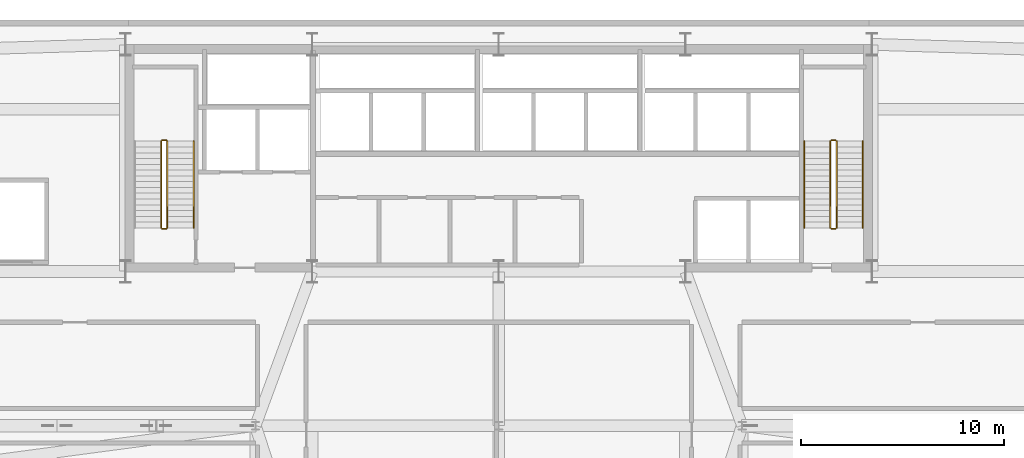
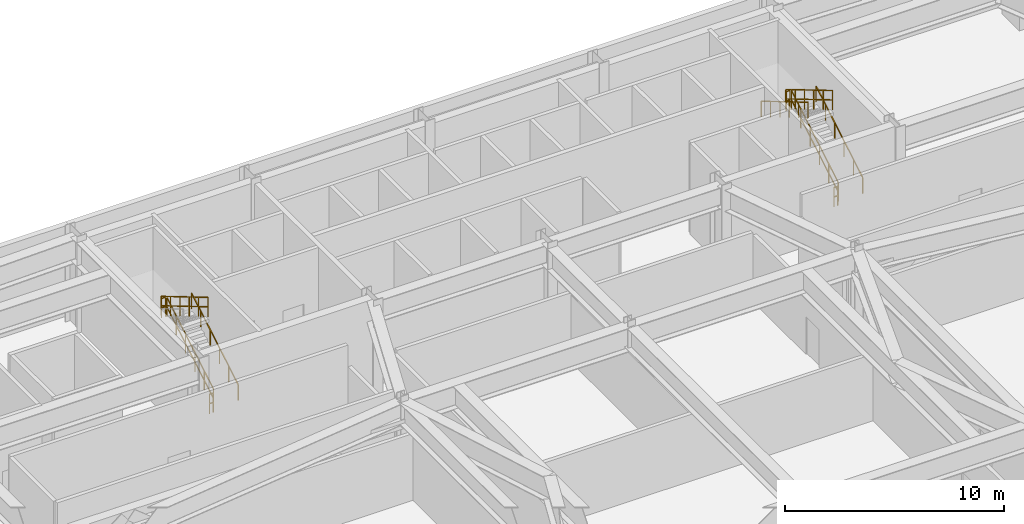
# One storey, part 16 of 16: 11 railings.
"""IFC4 building model written with IfcOpenShell, lengths in metres."""

from ifc_helpers import new_model, si_unit, direction, frame, origin, origin_2d, place, context, subcontext, project, spatial, rectangle, extrude, material, type_object, element, save


model = new_model("IFC4")

# Units and contexts
model_context = context("Model", 3, precision=1e-05, world=origin(), true_north=direction((0.0, 1.0)))
body_context = subcontext(model_context, "Body", "Model", "MODEL_VIEW")
ifc_project = project(units=[si_unit("LENGTHUNIT", "METRE"), si_unit("AREAUNIT", "SQUARE_METRE"), si_unit("VOLUMEUNIT", "CUBIC_METRE"), si_unit("PLANEANGLEUNIT", "RADIAN"), si_unit("MASSUNIT", "GRAM", prefix="KILO")], contexts=[model_context])

# Site, building, storey
site_placement = place(None, origin())
site = spatial("IfcSite", under=ifc_project, at=site_placement, CompositionType="ELEMENT")
building_placement = place(site_placement, origin())
building = spatial("IfcBuilding", under=site, at=building_placement, Name="Varnel Quay Broadcast Tower", CompositionType="ELEMENT")
storey_placement = place(building_placement, frame((0.0, 0.0, 22.199951171875)))
storey = spatial("IfcBuildingStorey", under=building, at=storey_placement, Name="L04", CompositionType="ELEMENT", Elevation=22.199951171875)

# Railings
ifc_material = material(Name="Painted Steel Guard and Handrail CSA G40.21 350W", Category="steel")
railing_type_1 = type_object("IfcRailingType", Name="Rail_StairGuard1100", PredefinedType="GUARDRAIL", material=ifc_material)
railing_1_placement = place(storey_placement, frame((17.64990234375, 37.75, 0.168701171875)))
element("IfcRailing", 1, at=railing_1_placement, inside=storey, type_object=railing_type_1, Name="L04 ST-01 stair guard 1", PredefinedType="GUARDRAIL", context=body_context, shape_type="SweptSolid", body=[
    extrude(rectangle(XDim=0.048095703125, YDim=0.048095703125, at=origin_2d()), frame((0.0, 0.0, 1.076171875), z_axis=(0.0, 0.860470286479, 0.509500624227), x_axis=(-1.0, 0.0, 0.0)), (0.0, 0.0, 1.0), 4.968017578125),
    extrude(rectangle(XDim=0.048095703125, YDim=0.048095703125, at=origin_2d()), frame((0.0, 0.0, 0.550048828125), z_axis=(0.0, 0.860470286479, 0.509500624227), x_axis=(-1.0, 0.0, 0.0)), (0.0, 0.0, 1.0), 4.968017578125),
    extrude(rectangle(XDim=0.0419921875, YDim=0.0419921875, at=origin_2d()), origin(), (0.0, 0.0, 1.0), 1.052001953125),
    extrude(rectangle(XDim=0.0419921875, YDim=0.0419921875, at=origin_2d()), frame((0.0, 0.85498046875, 0.50634765625)), (0.0, 0.0, 1.0), 1.052001953125),
    extrude(rectangle(XDim=0.0419921875, YDim=0.0419921875, at=origin_2d()), frame((0.0, 1.7099609375, 1.012451171875)), (0.0, 0.0, 1.0), 1.052001953125),
    extrude(rectangle(XDim=0.0419921875, YDim=0.0419921875, at=origin_2d()), frame((0.0, 2.56494140625, 1.518798828125)), (0.0, 0.0, 1.0), 1.052001953125),
    extrude(rectangle(XDim=0.0419921875, YDim=0.0419921875, at=origin_2d()), frame((0.0, 3.419921875, 2.02490234375)), (0.0, 0.0, 1.0), 1.052001953125),
    extrude(rectangle(XDim=0.0419921875, YDim=0.0419921875, at=origin_2d()), frame((0.0, 4.27490234375, 2.53125)), (0.0, 0.0, 1.0), 1.052001953125),
])
railing_2_placement = place(storey_placement, frame((17.60009765625, 42.074951171875, 2.699951171875)))
element("IfcRailing", 2, at=railing_2_placement, inside=storey, type_object=railing_type_1, Name="L04 ST-01 stair guard 2", PredefinedType="GUARDRAIL", context=body_context, shape_type="SweptSolid", body=[
    extrude(rectangle(XDim=0.048095703125, YDim=0.048095703125, at=origin_2d()), frame((0.0, 0.0, 1.076171875), z_axis=(-1.0, 0.0, 0.0), x_axis=(0.0, -1.0, 0.0)), (0.0, 0.0, 1.0), 0.2001953125),
    extrude(rectangle(XDim=0.048095703125, YDim=0.048095703125, at=origin_2d()), frame((0.0, 0.0, 0.550048828125), z_axis=(-1.0, 0.0, 0.0), x_axis=(0.0, -1.0, 0.0)), (0.0, 0.0, 1.0), 0.2001953125),
    extrude(rectangle(XDim=0.0419921875, YDim=0.0419921875, at=origin_2d()), origin(), (0.0, 0.0, 1.0), 1.052001953125),
    extrude(rectangle(XDim=0.0419921875, YDim=0.0419921875, at=origin_2d()), frame((-0.2001953125, 0.0, 0.0)), (0.0, 0.0, 1.0), 1.052001953125),
])
railing_3_placement = place(storey_placement, frame((17.35009765625, 42.02490234375, 2.868896484375)))
element("IfcRailing", 3, at=railing_3_placement, inside=storey, type_object=railing_type_1, Name="L04 ST-01 stair guard 3", PredefinedType="GUARDRAIL", context=body_context, shape_type="SweptSolid", body=[
    extrude(rectangle(XDim=0.048095703125, YDim=0.048095703125, at=origin_2d()), frame((0.0, 0.0, 1.076171875), z_axis=(0.0, -0.860470286479, 0.509500624227), x_axis=(1.0, 0.0, 0.0)), (0.0, 0.0, 1.0), 4.968017578125),
    extrude(rectangle(XDim=0.048095703125, YDim=0.048095703125, at=origin_2d()), frame((0.0, 0.0, 0.550048828125), z_axis=(0.0, -0.860470286479, 0.509500624227), x_axis=(1.0, 0.0, 0.0)), (0.0, 0.0, 1.0), 4.968017578125),
    extrude(rectangle(XDim=0.0419921875, YDim=0.0419921875, at=origin_2d()), origin(), (0.0, 0.0, 1.0), 1.052001953125),
    extrude(rectangle(XDim=0.0419921875, YDim=0.0419921875, at=origin_2d()), frame((0.0, -0.85498046875, 0.50634765625)), (0.0, 0.0, 1.0), 1.052001953125),
    extrude(rectangle(XDim=0.0419921875, YDim=0.0419921875, at=origin_2d()), frame((0.0, -1.7099609375, 1.012451171875)), (0.0, 0.0, 1.0), 1.052001953125),
    extrude(rectangle(XDim=0.0419921875, YDim=0.0419921875, at=origin_2d()), frame((0.0, -2.56494140625, 1.518798828125)), (0.0, 0.0, 1.0), 1.052001953125),
    extrude(rectangle(XDim=0.0419921875, YDim=0.0419921875, at=origin_2d()), frame((0.0, -3.419921875, 2.02490234375)), (0.0, 0.0, 1.0), 1.052001953125),
    extrude(rectangle(XDim=0.0419921875, YDim=0.0419921875, at=origin_2d()), frame((0.0, -4.27490234375, 2.53125)), (0.0, 0.0, 1.0), 1.052001953125),
])
railing_4_placement = place(storey_placement, frame((17.60009765625, 37.699951171875, 0.0)))
element("IfcRailing", 4, at=railing_4_placement, inside=storey, type_object=railing_type_1, Name="L04 ST-01 stair guard 4", PredefinedType="GUARDRAIL", context=body_context, shape_type="SweptSolid", body=[
    extrude(rectangle(XDim=0.048095703125, YDim=0.048095703125, at=origin_2d()), frame((0.0, 0.0, 1.076171875), z_axis=(-1.0, 0.0, 0.0), x_axis=(0.0, -1.0, 0.0)), (0.0, 0.0, 1.0), 0.2001953125),
    extrude(rectangle(XDim=0.048095703125, YDim=0.048095703125, at=origin_2d()), frame((0.0, 0.0, 0.550048828125), z_axis=(-1.0, 0.0, 0.0), x_axis=(0.0, -1.0, 0.0)), (0.0, 0.0, 1.0), 0.2001953125),
    extrude(rectangle(XDim=0.0419921875, YDim=0.0419921875, at=origin_2d()), origin(), (0.0, 0.0, 1.0), 1.052001953125),
    extrude(rectangle(XDim=0.0419921875, YDim=0.0419921875, at=origin_2d()), frame((-0.2001953125, 0.0, 0.0)), (0.0, 0.0, 1.0), 1.052001953125),
])
railing_5_placement = place(storey_placement, frame((50.64990234375, 37.75, 0.168701171875)))
element("IfcRailing", 5, at=railing_5_placement, inside=storey, type_object=railing_type_1, Name="L04 ST-02 stair guard 1", PredefinedType="GUARDRAIL", context=body_context, shape_type="SweptSolid", body=[
    extrude(rectangle(XDim=0.048095703125, YDim=0.048095703125, at=origin_2d()), frame((0.0, 0.0, 1.076171875), z_axis=(0.0, 0.860470286479, 0.509500624227), x_axis=(-1.0, 0.0, 0.0)), (0.0, 0.0, 1.0), 4.968017578125),
    extrude(rectangle(XDim=0.048095703125, YDim=0.048095703125, at=origin_2d()), frame((0.0, 0.0, 0.550048828125), z_axis=(0.0, 0.860470286479, 0.509500624227), x_axis=(-1.0, 0.0, 0.0)), (0.0, 0.0, 1.0), 4.968017578125),
    extrude(rectangle(XDim=0.0419921875, YDim=0.0419921875, at=origin_2d()), origin(), (0.0, 0.0, 1.0), 1.052001953125),
    extrude(rectangle(XDim=0.0419921875, YDim=0.0419921875, at=origin_2d()), frame((0.0, 0.85498046875, 0.50634765625)), (0.0, 0.0, 1.0), 1.052001953125),
    extrude(rectangle(XDim=0.0419921875, YDim=0.0419921875, at=origin_2d()), frame((0.0, 1.7099609375, 1.012451171875)), (0.0, 0.0, 1.0), 1.052001953125),
    extrude(rectangle(XDim=0.0419921875, YDim=0.0419921875, at=origin_2d()), frame((0.0, 2.56494140625, 1.518798828125)), (0.0, 0.0, 1.0), 1.052001953125),
    extrude(rectangle(XDim=0.0419921875, YDim=0.0419921875, at=origin_2d()), frame((0.0, 3.419921875, 2.02490234375)), (0.0, 0.0, 1.0), 1.052001953125),
    extrude(rectangle(XDim=0.0419921875, YDim=0.0419921875, at=origin_2d()), frame((0.0, 4.27490234375, 2.53125)), (0.0, 0.0, 1.0), 1.052001953125),
])
railing_6_placement = place(storey_placement, frame((50.60009765625, 42.074951171875, 2.699951171875)))
element("IfcRailing", 6, at=railing_6_placement, inside=storey, type_object=railing_type_1, Name="L04 ST-02 stair guard 2", PredefinedType="GUARDRAIL", context=body_context, shape_type="SweptSolid", body=[
    extrude(rectangle(XDim=0.048095703125, YDim=0.048095703125, at=origin_2d()), frame((0.0, 0.0, 1.076171875), z_axis=(-1.0, 0.0, 0.0), x_axis=(0.0, -1.0, 0.0)), (0.0, 0.0, 1.0), 0.2001953125),
    extrude(rectangle(XDim=0.048095703125, YDim=0.048095703125, at=origin_2d()), frame((0.0, 0.0, 0.550048828125), z_axis=(-1.0, 0.0, 0.0), x_axis=(0.0, -1.0, 0.0)), (0.0, 0.0, 1.0), 0.2001953125),
    extrude(rectangle(XDim=0.0419921875, YDim=0.0419921875, at=origin_2d()), origin(), (0.0, 0.0, 1.0), 1.052001953125),
    extrude(rectangle(XDim=0.0419921875, YDim=0.0419921875, at=origin_2d()), frame((-0.2001953125, 0.0, 0.0)), (0.0, 0.0, 1.0), 1.052001953125),
])
railing_7_placement = place(storey_placement, frame((50.35009765625, 42.02490234375, 2.868896484375)))
element("IfcRailing", 7, at=railing_7_placement, inside=storey, type_object=railing_type_1, Name="L04 ST-02 stair guard 3", PredefinedType="GUARDRAIL", context=body_context, shape_type="SweptSolid", body=[
    extrude(rectangle(XDim=0.048095703125, YDim=0.048095703125, at=origin_2d()), frame((0.0, 0.0, 1.076171875), z_axis=(0.0, -0.860470286479, 0.509500624227), x_axis=(1.0, 0.0, 0.0)), (0.0, 0.0, 1.0), 4.968017578125),
    extrude(rectangle(XDim=0.048095703125, YDim=0.048095703125, at=origin_2d()), frame((0.0, 0.0, 0.550048828125), z_axis=(0.0, -0.860470286479, 0.509500624227), x_axis=(1.0, 0.0, 0.0)), (0.0, 0.0, 1.0), 4.968017578125),
    extrude(rectangle(XDim=0.0419921875, YDim=0.0419921875, at=origin_2d()), origin(), (0.0, 0.0, 1.0), 1.052001953125),
    extrude(rectangle(XDim=0.0419921875, YDim=0.0419921875, at=origin_2d()), frame((0.0, -0.85498046875, 0.50634765625)), (0.0, 0.0, 1.0), 1.052001953125),
    extrude(rectangle(XDim=0.0419921875, YDim=0.0419921875, at=origin_2d()), frame((0.0, -1.7099609375, 1.012451171875)), (0.0, 0.0, 1.0), 1.052001953125),
    extrude(rectangle(XDim=0.0419921875, YDim=0.0419921875, at=origin_2d()), frame((0.0, -2.56494140625, 1.518798828125)), (0.0, 0.0, 1.0), 1.052001953125),
    extrude(rectangle(XDim=0.0419921875, YDim=0.0419921875, at=origin_2d()), frame((0.0, -3.419921875, 2.02490234375)), (0.0, 0.0, 1.0), 1.052001953125),
    extrude(rectangle(XDim=0.0419921875, YDim=0.0419921875, at=origin_2d()), frame((0.0, -4.27490234375, 2.53125)), (0.0, 0.0, 1.0), 1.052001953125),
])
railing_8_placement = place(storey_placement, frame((50.60009765625, 37.699951171875, 0.0)))
element("IfcRailing", 8, at=railing_8_placement, inside=storey, type_object=railing_type_1, Name="L04 ST-02 stair guard 4", PredefinedType="GUARDRAIL", context=body_context, shape_type="SweptSolid", body=[
    extrude(rectangle(XDim=0.048095703125, YDim=0.048095703125, at=origin_2d()), frame((0.0, 0.0, 1.076171875), z_axis=(-1.0, 0.0, 0.0), x_axis=(0.0, -1.0, 0.0)), (0.0, 0.0, 1.0), 0.2001953125),
    extrude(rectangle(XDim=0.048095703125, YDim=0.048095703125, at=origin_2d()), frame((0.0, 0.0, 0.550048828125), z_axis=(-1.0, 0.0, 0.0), x_axis=(0.0, -1.0, 0.0)), (0.0, 0.0, 1.0), 0.2001953125),
    extrude(rectangle(XDim=0.0419921875, YDim=0.0419921875, at=origin_2d()), origin(), (0.0, 0.0, 1.0), 1.052001953125),
    extrude(rectangle(XDim=0.0419921875, YDim=0.0419921875, at=origin_2d()), frame((-0.2001953125, 0.0, 0.0)), (0.0, 0.0, 1.0), 1.052001953125),
])
railing_type_2 = type_object("IfcRailingType", Name="Rail_StairHandrail900", PredefinedType="HANDRAIL", material=ifc_material)
for number, where, name in (
    (9, (18.949951171875, 37.75, 0.168701171875), "L04 ST-01 stair handrail 1"),
    (10, (51.949951171875, 37.75, 0.168701171875), "L04 ST-02 stair handrail 1"),
):
    element("IfcRailing", number, at=place(storey_placement, frame(where)), inside=storey, type_object=railing_type_2, Name=name, PredefinedType="HANDRAIL", context=body_context, shape_type="SweptSolid", body=[
        extrude(rectangle(XDim=0.048095703125, YDim=0.048095703125, at=origin_2d()), frame((0.0, 0.0, 0.8759765625), z_axis=(0.0, 0.860470286479, 0.509500624227), x_axis=(-1.0, 0.0, 0.0)), (0.0, 0.0, 1.0), 4.968017578125),
        extrude(rectangle(XDim=0.0419921875, YDim=0.0419921875, at=origin_2d()), origin(), (0.0, 0.0, 1.0), 0.851806640625),
        extrude(rectangle(XDim=0.0419921875, YDim=0.0419921875, at=origin_2d()), frame((0.0, 0.85498046875, 0.50634765625)), (0.0, 0.0, 1.0), 0.851806640625),
        extrude(rectangle(XDim=0.0419921875, YDim=0.0419921875, at=origin_2d()), frame((0.0, 1.7099609375, 1.012451171875)), (0.0, 0.0, 1.0), 0.851806640625),
        extrude(rectangle(XDim=0.0419921875, YDim=0.0419921875, at=origin_2d()), frame((0.0, 2.56494140625, 1.518798828125)), (0.0, 0.0, 1.0), 0.851806640625),
        extrude(rectangle(XDim=0.0419921875, YDim=0.0419921875, at=origin_2d()), frame((0.0, 3.419921875, 2.02490234375)), (0.0, 0.0, 1.0), 0.851806640625),
        extrude(rectangle(XDim=0.0419921875, YDim=0.0419921875, at=origin_2d()), frame((0.0, 4.27490234375, 2.53125)), (0.0, 0.0, 1.0), 0.851806640625),
    ])
railing_9_placement = place(storey_placement, frame((49.050048828125, 42.02490234375, 2.868896484375)))
element("IfcRailing", 11, at=railing_9_placement, inside=storey, type_object=railing_type_2, Name="L04 ST-02 stair handrail 2", PredefinedType="HANDRAIL", context=body_context, shape_type="SweptSolid", body=[
    extrude(rectangle(XDim=0.048095703125, YDim=0.048095703125, at=origin_2d()), frame((0.0, 0.0, 0.8759765625), z_axis=(0.0, -0.860470286479, 0.509500624227), x_axis=(1.0, 0.0, 0.0)), (0.0, 0.0, 1.0), 4.968017578125),
    extrude(rectangle(XDim=0.0419921875, YDim=0.0419921875, at=origin_2d()), origin(), (0.0, 0.0, 1.0), 0.851806640625),
    extrude(rectangle(XDim=0.0419921875, YDim=0.0419921875, at=origin_2d()), frame((0.0, -0.85498046875, 0.50634765625)), (0.0, 0.0, 1.0), 0.851806640625),
    extrude(rectangle(XDim=0.0419921875, YDim=0.0419921875, at=origin_2d()), frame((0.0, -1.7099609375, 1.012451171875)), (0.0, 0.0, 1.0), 0.851806640625),
    extrude(rectangle(XDim=0.0419921875, YDim=0.0419921875, at=origin_2d()), frame((0.0, -2.56494140625, 1.518798828125)), (0.0, 0.0, 1.0), 0.851806640625),
    extrude(rectangle(XDim=0.0419921875, YDim=0.0419921875, at=origin_2d()), frame((0.0, -3.419921875, 2.02490234375)), (0.0, 0.0, 1.0), 0.851806640625),
    extrude(rectangle(XDim=0.0419921875, YDim=0.0419921875, at=origin_2d()), frame((0.0, -4.27490234375, 2.53125)), (0.0, 0.0, 1.0), 0.851806640625),
])

save(model, "model.ifc")
